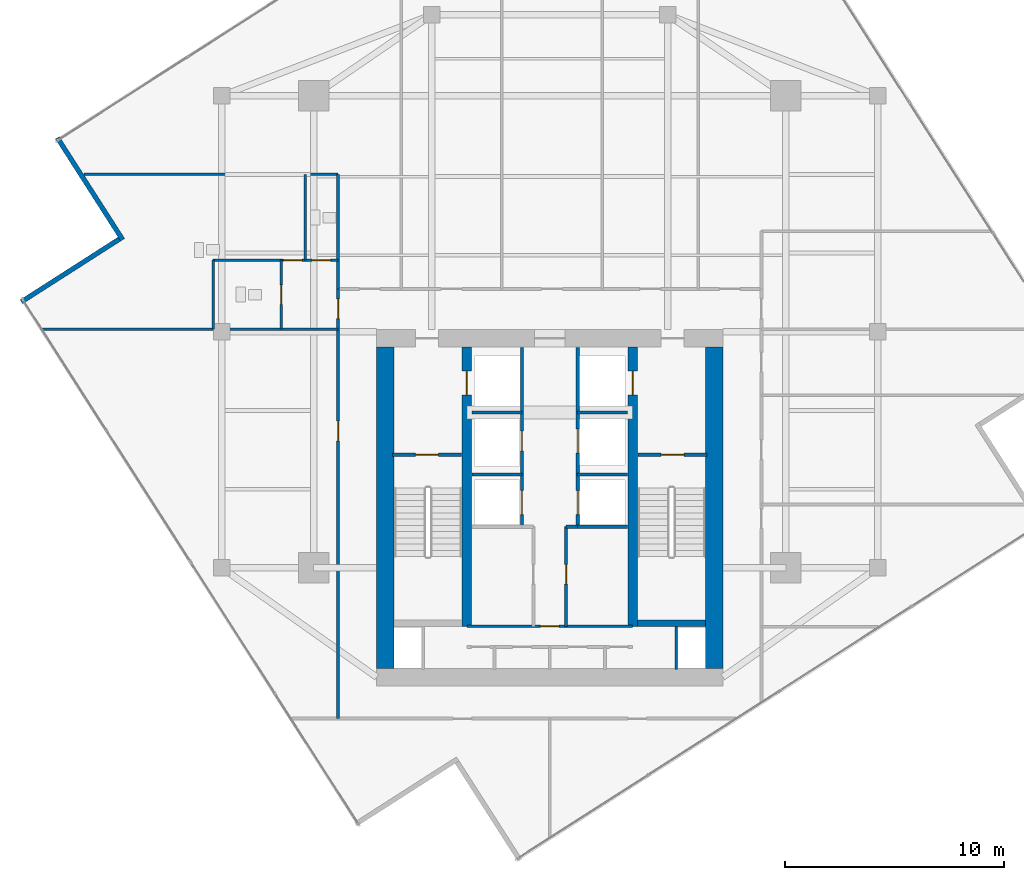
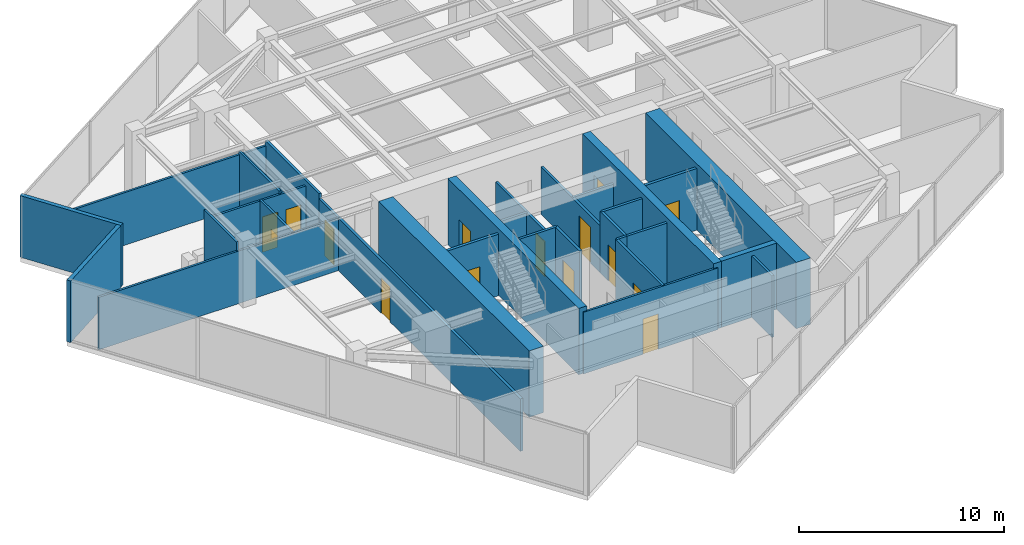
# One storey, part 17 of 20: 30 walls, 15 doors, 15 openings.
"""IFC4 building model written with IfcOpenShell, lengths in metres."""

from ifc_helpers import new_model, si_unit, direction, frame, frame_2d, origin, place, context, subcontext, project, spatial, rectangle, extrude, material, layer, layer_set, type_object, element, fill, save


model = new_model("IFC4")

# Units and contexts
model_context = context("Model", 3, precision=1e-05, world=origin(), true_north=direction((0.0, 1.0)))
body_context = subcontext(model_context, "Body", "Model", "MODEL_VIEW")
ifc_project = project(units=[si_unit("LENGTHUNIT", "METRE"), si_unit("AREAUNIT", "SQUARE_METRE"), si_unit("VOLUMEUNIT", "CUBIC_METRE"), si_unit("PLANEANGLEUNIT", "RADIAN"), si_unit("MASSUNIT", "GRAM", prefix="KILO")], contexts=[model_context])

# Site, building, storey
site_placement = place(None, origin())
site = spatial("IfcSite", under=ifc_project, at=site_placement, CompositionType="ELEMENT")
building_placement = place(site_placement, origin())
building = spatial("IfcBuilding", under=site, at=building_placement, Name="Krantzveldt Concourse Tower", CompositionType="ELEMENT")
storey_placement = place(building_placement, frame((0.0, 0.0, 283.199951171875)))
storey = spatial("IfcBuildingStorey", under=building, at=storey_placement, Name="L69", CompositionType="ELEMENT", Elevation=283.199951171875)

# Walls
ifc_material_1 = material(Name="Anodised aluminium 6063-T6", Category="aluminium")
ifc_layer_1 = layer(ifc_material_1, 0.219970703125, Name="Anodised aluminium 6063-T6", Category="aluminium")
ifc_layer_set_1 = layer_set([ifc_layer_1], Name="Anodised aluminium 6063-T6 (WL-EXT-NOTCH220)")
wall_type_1 = type_object("IfcWallType", Name="WL-EXT-NOTCH220", PredefinedType="ELEMENTEDWALL", material=ifc_layer_set_1)
wall_1_placement = place(storey_placement, frame((13.46826171875, 35.578125, 0.0), z_axis=(0.0, 0.0, 1.0), x_axis=(0.539129907131, -0.842222620948, 0.0)))
element("IfcWall", 1, at=wall_1_placement, inside=storey, type_object=wall_type_1, Name="EW-L69-NCH02", PredefinedType="ELEMENTEDWALL", context=body_context, shape_type="SweptSolid", body=[
    extrude(rectangle(XDim=5.545166015625, YDim=0.219970703125, at=frame_2d((2.7724609375, 0.0))), origin(), (0.0, 0.0, 1.0), 3.670166015625),
])
wall_2_placement = place(storey_placement, frame((16.305908203125, 30.94140625, 0.0), z_axis=(0.0, 0.0, 1.0), x_axis=(-0.84222560178, -0.539125250481, 0.0)))
element("IfcWall", 2, at=wall_2_placement, inside=storey, type_object=wall_type_1, Name="EW-L69-NCH03", PredefinedType="ELEMENTEDWALL", context=body_context, shape_type="SweptSolid", body=[
    extrude(rectangle(XDim=5.324951171875, YDim=0.219970703125, at=frame_2d((2.66259765625, 0.0))), origin(), (0.0, 0.0, 1.0), 3.670166015625),
])

# Wall, opening, door
ifc_material_2 = material(Name="Fire-rated gypsum plasterboard on steel stud", Category="steel")
ifc_layer_2 = layer(ifc_material_2, 0.1201171875, Name="Fire-rated gypsum plasterboard on steel stud", Category="steel")
ifc_layer_set_2 = layer_set([ifc_layer_2], Name="Fire-rated gypsum plasterboard on steel stud (WL-PART-120)")
wall_type_2 = type_object("IfcWallType", Name="WL-PART-120", PredefinedType="PARTITIONING", material=ifc_layer_set_2)
wall_3_placement = place(storey_placement, frame((32.2099609375, 13.219970703125, 0.0), z_axis=(0.0, 0.0, 1.0), x_axis=(1.0, 0.0, 0.0)))
wall_3 = element("IfcWall", 3, at=wall_3_placement, inside=storey, type_object=wall_type_2, Name="WP-L69-CS2H", PredefinedType="PARTITIONING", context=body_context, shape_type="SweptSolid", body=[
    extrude(rectangle(XDim=7.580078125, YDim=0.1201171875, at=frame_2d((3.7900390625, 0.0))), origin(), (0.0, 0.0, 1.0), 3.670166015625),
])
opening_1_placement = place(wall_3_placement, frame((3.364990234375, 0.0, 0.0)))
opening_1 = element("IfcOpeningElement", 4, at=opening_1_placement, cuts=wall_3, Name="Opening D-IN085", PredefinedType="OPENING", context=body_context, shape_type="SweptSolid", body=[
    extrude(rectangle(XDim=0.85009765625, YDim=2.10009765625, at=frame_2d((0.425048828125, 1.050048828125))), frame((0.0, 0.070068359375, 0.0), z_axis=(0.0, -1.0, 0.0), x_axis=(1.0, 0.0, 0.0)), (0.0, 0.0, 1.0), 0.14013671875),
])
ifc_material_3 = material(Name="Hardwood timber", Category="wood")
door_type_1 = type_object("IfcDoorType", Name="DR-INT-850", OperationType="SINGLE_SWING_LEFT", PredefinedType="DOOR", material=ifc_material_3)
door_1_placement = place(opening_1_placement, origin())
door_1 = element("IfcDoor", 5, at=door_1_placement, inside=storey, type_object=door_type_1, Name="DR-L69-LLBS", OperationType="SINGLE_SWING_RIGHT", OverallHeight=2.10009765625, OverallWidth=0.85009765625, PredefinedType="DOOR", context=body_context, shape_type="SweptSolid", body=[
    extrude(rectangle(XDim=0.85009765625, YDim=2.10009765625, at=frame_2d((0.425048828125, 1.050048828125))), frame((0.0, 0.02490234375, 0.0), z_axis=(0.0, -1.0, 0.0), x_axis=(1.0, 0.0, 0.0)), (0.0, 0.0, 1.0), 0.050048828125),
])
fill(opening_1, door_1)

# Walls
wall_4_placement = place(storey_placement, frame((12.758056640625, 26.820068359375, 0.0), z_axis=(0.0, 0.0, 1.0), x_axis=(1.0, 0.0, 0.0)))
element("IfcWall", 6, at=wall_4_placement, inside=storey, type_object=wall_type_2, Name="WP-L69-WCBS", PredefinedType="PARTITIONING", context=body_context, shape_type="SweptSolid", body=[
    extrude(rectangle(XDim=13.56201171875, YDim=0.1201171875, at=frame_2d((6.781005859375, 0.0))), origin(), (0.0, 0.0, 1.0), 3.130126953125),
])
wall_5_placement = place(storey_placement, frame((14.67919921875, 33.89990234375, 0.0), z_axis=(0.0, 0.0, 1.0), x_axis=(1.0, 0.0, 0.0)))
element("IfcWall", 7, at=wall_5_placement, inside=storey, type_object=wall_type_2, Name="WP-L69-WCBN", PredefinedType="PARTITIONING", context=body_context, shape_type="SweptSolid", body=[
    extrude(rectangle(XDim=11.640869140625, YDim=0.1201171875, at=frame_2d((5.8203125, 0.0))), origin(), (0.0, 0.0, 1.0), 3.130126953125),
])

# Wall, openings, doors
wall_6_placement = place(storey_placement, frame((20.60009765625, 29.97998046875, 0.0), z_axis=(0.0, 0.0, 1.0), x_axis=(1.0, 0.0, 0.0)))
wall_6 = element("IfcWall", 8, at=wall_6_placement, inside=storey, type_object=wall_type_2, Name="WP-L69-WCMH", PredefinedType="PARTITIONING", context=body_context, shape_type="SweptSolid", body=[
    extrude(rectangle(XDim=5.719970703125, YDim=0.1201171875, at=frame_2d((2.85986328125, 0.0))), origin(), (0.0, 0.0, 1.0), 3.130126953125),
])
opening_2_placement = place(wall_6_placement, frame((3.22509765625, 0.0, 0.0)))
opening_2 = element("IfcOpeningElement", 9, at=opening_2_placement, cuts=wall_6, Name="Opening D-IN085", PredefinedType="OPENING", context=body_context, shape_type="SweptSolid", body=[
    extrude(rectangle(XDim=0.85009765625, YDim=2.10009765625, at=frame_2d((0.425048828125, 1.050048828125))), frame((0.0, 0.070068359375, 0.0), z_axis=(0.0, -1.0, 0.0), x_axis=(1.0, 0.0, 0.0)), (0.0, 0.0, 1.0), 0.14013671875),
])
opening_3_placement = place(wall_6_placement, frame((4.52490234375, 0.0, 0.0)))
opening_3 = element("IfcOpeningElement", 10, at=opening_3_placement, cuts=wall_6, Name="Opening D-IN085", PredefinedType="OPENING", context=body_context, shape_type="SweptSolid", body=[
    extrude(rectangle(XDim=0.85009765625, YDim=2.10009765625, at=frame_2d((0.425048828125, 1.050048828125))), frame((0.0, 0.070068359375, 0.0), z_axis=(0.0, -1.0, 0.0), x_axis=(1.0, 0.0, 0.0)), (0.0, 0.0, 1.0), 0.14013671875),
])
door_2_placement = place(opening_2_placement, origin())
door_2 = element("IfcDoor", 11, at=door_2_placement, inside=storey, type_object=door_type_1, Name="DR-L69-WCM", OperationType="SINGLE_SWING_LEFT", OverallHeight=2.10009765625, OverallWidth=0.85009765625, PredefinedType="DOOR", context=body_context, shape_type="SweptSolid", body=[
    extrude(rectangle(XDim=0.85009765625, YDim=2.10009765625, at=frame_2d((0.425048828125, 1.050048828125))), frame((0.0, 0.02490234375, 0.0), z_axis=(0.0, -1.0, 0.0), x_axis=(1.0, 0.0, 0.0)), (0.0, 0.0, 1.0), 0.050048828125),
])
fill(opening_2, door_2)
door_3_placement = place(opening_3_placement, origin())
door_3 = element("IfcDoor", 12, at=door_3_placement, inside=storey, type_object=door_type_1, Name="DR-L69-WCF", OperationType="SINGLE_SWING_RIGHT", OverallHeight=2.10009765625, OverallWidth=0.85009765625, PredefinedType="DOOR", context=body_context, shape_type="SweptSolid", body=[
    extrude(rectangle(XDim=0.85009765625, YDim=2.10009765625, at=frame_2d((0.425048828125, 1.050048828125))), frame((0.0, 0.02490234375, 0.0), z_axis=(0.0, -1.0, 0.0), x_axis=(1.0, 0.0, 0.0)), (0.0, 0.0, 1.0), 0.050048828125),
])
fill(opening_3, door_3)

# Wall
wall_7_placement = place(storey_placement, frame((20.60009765625, 26.820068359375, 0.0), z_axis=(0.0, 0.0, 1.0), x_axis=(0.0, 1.0, 0.0)))
element("IfcWall", 13, at=wall_7_placement, inside=storey, type_object=wall_type_2, Name="WP-L69-WCAL", PredefinedType="PARTITIONING", context=body_context, shape_type="SweptSolid", body=[
    extrude(rectangle(XDim=3.159912109375, YDim=0.1201171875, at=frame_2d((1.580078125, 0.0))), origin(), (0.0, 0.0, 1.0), 3.670166015625),
])

# Wall, opening, door
wall_8_placement = place(storey_placement, frame((23.719970703125, 26.820068359375, 0.0), z_axis=(0.0, 0.0, 1.0), x_axis=(0.0, 1.0, 0.0)))
wall_8 = element("IfcWall", 14, at=wall_8_placement, inside=storey, type_object=wall_type_2, Name="WP-L69-WCAV", PredefinedType="PARTITIONING", context=body_context, shape_type="SweptSolid", body=[
    extrude(rectangle(XDim=3.159912109375, YDim=0.1201171875, at=frame_2d((1.580078125, 0.0))), origin(), (0.0, 0.0, 1.0), 3.179931640625),
])
opening_4_placement = place(wall_8_placement, frame((1.1298828125, 0.0, 0.0)))
opening_4 = element("IfcOpeningElement", 15, at=opening_4_placement, cuts=wall_8, Name="Opening D-IN090", PredefinedType="OPENING", context=body_context, shape_type="SweptSolid", body=[
    extrude(rectangle(XDim=0.89990234375, YDim=2.10009765625, at=frame_2d((0.449951171875, 1.050048828125))), frame((0.0, 0.070068359375, 0.0), z_axis=(0.0, -1.0, 0.0), x_axis=(1.0, 0.0, 0.0)), (0.0, 0.0, 1.0), 0.14013671875),
])
door_type_2 = type_object("IfcDoorType", Name="DR-INT-900", OperationType="SINGLE_SWING_LEFT", PredefinedType="DOOR", material=ifc_material_3)
door_4_placement = place(opening_4_placement, origin())
door_4 = element("IfcDoor", 16, at=door_4_placement, inside=storey, type_object=door_type_2, Name="DR-L69-WCA", OperationType="SINGLE_SWING_LEFT", OverallHeight=2.10009765625, OverallWidth=0.89990234375, PredefinedType="DOOR", context=body_context, shape_type="SweptSolid", body=[
    extrude(rectangle(XDim=0.89990234375, YDim=2.10009765625, at=frame_2d((0.449951171875, 1.050048828125))), frame((0.0, 0.02490234375, 0.0), z_axis=(0.0, -1.0, 0.0), x_axis=(1.0, 0.0, 0.0)), (0.0, 0.0, 1.0), 0.050048828125),
])
fill(opening_4, door_4)

# Wall
wall_9_placement = place(storey_placement, frame((24.820068359375, 29.97998046875, 0.0), z_axis=(0.0, 0.0, 1.0), x_axis=(0.0, 1.0, 0.0)))
element("IfcWall", 17, at=wall_9_placement, inside=storey, type_object=wall_type_2, Name="WP-L69-WCFD", PredefinedType="PARTITIONING", context=body_context, shape_type="SweptSolid", body=[
    extrude(rectangle(XDim=3.919921875, YDim=0.1201171875, at=frame_2d((1.9599609375, 0.0))), origin(), (0.0, 0.0, 1.0), 3.31005859375),
])

# Wall, openings, doors
ifc_layer_3 = layer(ifc_material_2, 0.139892578125, Name="Fire-rated gypsum plasterboard on steel stud", Category="steel")
ifc_layer_set_3 = layer_set([ifc_layer_3], Name="Fire-rated gypsum plasterboard on steel stud (WL-PART-140)")
wall_type_3 = type_object("IfcWallType", Name="WL-PART-140", PredefinedType="PARTITIONING", material=ifc_layer_set_3)
wall_10_placement = place(storey_placement, frame((26.320068359375, 9.0, 0.0), z_axis=(0.0, 0.0, 1.0), x_axis=(0.0, 1.0, 0.0)))
wall_10 = element("IfcWall", 18, at=wall_10_placement, inside=storey, type_object=wall_type_3, Name="WP-L69-CWEST", PredefinedType="PARTITIONING", context=body_context, shape_type="SweptSolid", body=[
    extrude(rectangle(XDim=19.659912109375, YDim=0.139892578125, at=frame_2d((9.830078125, 0.0))), origin(), (0.0, 0.0, 1.0), 3.130126953125),
])
opening_5_placement = place(wall_10_placement, frame((18.300048828125, 0.0, 0.0)))
opening_5 = element("IfcOpeningElement", 19, at=opening_5_placement, cuts=wall_10, Name="Opening D-IN090", PredefinedType="OPENING", context=body_context, shape_type="SweptSolid", body=[
    extrude(rectangle(XDim=0.89990234375, YDim=2.10009765625, at=frame_2d((0.449951171875, 1.050048828125))), frame((0.0, 0.080078125, 0.0), z_axis=(0.0, -1.0, 0.0), x_axis=(1.0, 0.0, 0.0)), (0.0, 0.0, 1.0), 0.159912109375),
])
opening_6_placement = place(wall_10_placement, frame((12.7099609375, 0.0, 0.0)))
opening_6 = element("IfcOpeningElement", 20, at=opening_6_placement, cuts=wall_10, Name="Opening D-IN090", PredefinedType="OPENING", context=body_context, shape_type="SweptSolid", body=[
    extrude(rectangle(XDim=0.89990234375, YDim=2.10009765625, at=frame_2d((0.449951171875, 1.050048828125))), frame((0.0, 0.080078125, 0.0), z_axis=(0.0, -1.0, 0.0), x_axis=(1.0, 0.0, 0.0)), (0.0, 0.0, 1.0), 0.159912109375),
])
door_5_placement = place(opening_5_placement, origin())
door_5 = element("IfcDoor", 21, at=door_5_placement, inside=storey, type_object=door_type_2, Name="DR-L69-WCV", OperationType="SINGLE_SWING_LEFT", OverallHeight=2.10009765625, OverallWidth=0.89990234375, PredefinedType="DOOR", context=body_context, shape_type="SweptSolid", body=[
    extrude(rectangle(XDim=0.89990234375, YDim=2.10009765625, at=frame_2d((0.449951171875, 1.050048828125))), frame((0.0, 0.02490234375, 0.0), z_axis=(0.0, -1.0, 0.0), x_axis=(1.0, 0.0, 0.0)), (0.0, 0.0, 1.0), 0.050048828125),
])
fill(opening_5, door_5)
door_6_placement = place(opening_6_placement, origin())
door_6 = element("IfcDoor", 22, at=door_6_placement, inside=storey, type_object=door_type_2, Name="DR-L69-WR1", OperationType="SINGLE_SWING_LEFT", OverallHeight=2.10009765625, OverallWidth=0.89990234375, PredefinedType="DOOR", context=body_context, shape_type="SweptSolid", body=[
    extrude(rectangle(XDim=0.89990234375, YDim=2.10009765625, at=frame_2d((0.449951171875, 1.050048828125))), frame((0.0, 0.02490234375, 0.0), z_axis=(0.0, -1.0, 0.0), x_axis=(1.0, 0.0, 0.0)), (0.0, 0.0, 1.0), 0.050048828125),
])
fill(opening_6, door_6)

# Wall
wall_11_placement = place(storey_placement, frame((26.320068359375, 28.659912109375, 0.0), z_axis=(0.0, 0.0, 1.0), x_axis=(0.0, 1.0, 0.0)))
element("IfcWall", 23, at=wall_11_placement, inside=storey, type_object=wall_type_3, Name="WP-L69-NWL", PredefinedType="PARTITIONING", context=body_context, shape_type="SweptSolid", body=[
    extrude(rectangle(XDim=5.239990234375, YDim=0.139892578125, at=frame_2d((2.6201171875, 0.0))), origin(), (0.0, 0.0, 1.0), 3.429931640625),
])

# Wall, opening, door
ifc_layer_4 = layer(ifc_material_2, 0.139892578125, Name="Fire-rated gypsum plasterboard on steel stud", Category="steel")
ifc_layer_set_4 = layer_set([ifc_layer_4], Name="Fire-rated gypsum plasterboard on steel stud (WL-PART-FR140)")
wall_type_4 = type_object("IfcWallType", Name="WL-PART-FR140", PredefinedType="PARTITIONING", material=ifc_layer_set_4)
wall_12_placement = place(storey_placement, frame((34.719970703125, 20.199951171875, 0.0), z_axis=(0.0, 0.0, 1.0), x_axis=(0.0, 1.0, 0.0)))
wall_12 = element("IfcWall", 24, at=wall_12_placement, inside=storey, type_object=wall_type_4, Name="WP-L69-SHNW", PredefinedType="PARTITIONING", context=body_context, shape_type="SweptSolid", body=[
    extrude(rectangle(XDim=5.780029296875, YDim=0.139892578125, at=frame_2d((2.89013671875, 0.0))), origin(), (0.0, 0.0, 1.0), 2.820068359375),
])
opening_7_placement = place(wall_12_placement, frame((1.050048828125, 0.0, 0.0)))
opening_7 = element("IfcOpeningElement", 25, at=opening_7_placement, cuts=wall_12, Name="Opening D-FD090", PredefinedType="OPENING", context=body_context, shape_type="SweptSolid", body=[
    extrude(rectangle(XDim=0.89990234375, YDim=2.10009765625, at=frame_2d((0.449951171875, 1.050048828125))), frame((0.0, 0.080078125, 0.0), z_axis=(0.0, -1.0, 0.0), x_axis=(1.0, 0.0, 0.0)), (0.0, 0.0, 1.0), 0.159912109375),
])
door_type_3 = type_object("IfcDoorType", Name="DR-FD60-900", OperationType="SINGLE_SWING_LEFT", PredefinedType="DOOR", material=ifc_material_3)
door_7_placement = place(opening_7_placement, origin())
door_7 = element("IfcDoor", 26, at=door_7_placement, inside=storey, type_object=door_type_3, Name="Electrical Riser Access Door L69", OperationType="SINGLE_SWING_LEFT", OverallHeight=2.10009765625, OverallWidth=0.89990234375, PredefinedType="DOOR", context=body_context, shape_type="SweptSolid", body=[
    extrude(rectangle(XDim=0.89990234375, YDim=2.10009765625, at=frame_2d((0.449951171875, 1.050048828125))), frame((0.0, 0.02490234375, 0.0), z_axis=(0.0, -1.0, 0.0), x_axis=(1.0, 0.0, 0.0)), (0.0, 0.0, 1.0), 0.050048828125),
])
fill(opening_7, door_7)

wall_13_placement = place(storey_placement, frame((37.280029296875, 20.199951171875, 0.0), z_axis=(0.0, 0.0, 1.0), x_axis=(0.0, 1.0, 0.0)))
wall_13 = element("IfcWall", 27, at=wall_13_placement, inside=storey, type_object=wall_type_4, Name="WP-L69-SHNE", PredefinedType="PARTITIONING", context=body_context, shape_type="SweptSolid", body=[
    extrude(rectangle(XDim=5.780029296875, YDim=0.139892578125, at=frame_2d((2.89013671875, 0.0))), origin(), (0.0, 0.0, 1.0), 2.820068359375),
])
opening_8_placement = place(wall_13_placement, frame((0.949951171875, 0.0, 0.0)))
opening_8 = element("IfcOpeningElement", 28, at=opening_8_placement, cuts=wall_13, Name="Opening LD", PredefinedType="OPENING", context=body_context, shape_type="SweptSolid", body=[
    extrude(rectangle(XDim=1.10009765625, YDim=2.14990234375, at=frame_2d((0.550048828125, 1.074951171875))), frame((0.0, 0.080078125, 0.0), z_axis=(0.0, -1.0, 0.0), x_axis=(1.0, 0.0, 0.0)), (0.0, 0.0, 1.0), 0.159912109375),
])
ifc_material_4 = material(Name="Stainless steel 316L", Category="steel")
door_type_4 = type_object("IfcDoorType", Name="DR-SLIDE-LD1100", OperationType="DOUBLE_DOOR_SLIDING", PredefinedType="DOOR", material=ifc_material_4)
door_8_placement = place(opening_8_placement, origin())
door_8 = element("IfcDoor", 29, at=door_8_placement, inside=storey, type_object=door_type_4, Name="LD-L69-GL1", OperationType="DOUBLE_DOOR_SLIDING", OverallHeight=2.14990234375, OverallWidth=1.10009765625, PredefinedType="DOOR", context=body_context, shape_type="SweptSolid", body=[
    extrude(rectangle(XDim=1.10009765625, YDim=2.14990234375, at=frame_2d((0.550048828125, 1.074951171875))), frame((0.0, 0.02490234375, 0.0), z_axis=(0.0, -1.0, 0.0), x_axis=(1.0, 0.0, 0.0)), (0.0, 0.0, 1.0), 0.050048828125),
])
fill(opening_8, door_8)

# Walls
for number, where, z_axis, x_axis, name in (
    (30, (32.449951171875, 23.0, 0.0), (0.0, 0.0, 1.0), (1.0, 0.0, 0.0), "WP-L69-RISH"),
    (31, (37.280029296875, 23.0, 0.0), (0.0, 0.0, 1.0), (1.0, 0.0, 0.0), "WP-L69-GLH"),
):
    element("IfcWall", number, at=place(storey_placement, frame(where, z_axis=z_axis, x_axis=x_axis)), inside=storey, type_object=wall_type_4, Name=name, PredefinedType="PARTITIONING", context=body_context, shape_type="SweptSolid", body=[
        extrude(rectangle(XDim=2.27001953125, YDim=0.139892578125, at=frame_2d((1.135009765625, 0.0))), origin(), (0.0, 0.0, 1.0), 2.820068359375),
    ])

# Wall, opening, door
wall_14_placement = place(storey_placement, frame((34.719970703125, 17.780029296875, 0.0), z_axis=(0.0, 0.0, 1.0), x_axis=(0.0, 1.0, 0.0)))
wall_14 = element("IfcWall", 32, at=wall_14_placement, inside=storey, type_object=wall_type_4, Name="WP-L69-SHNW2", PredefinedType="PARTITIONING", context=body_context, shape_type="SweptSolid", body=[
    extrude(rectangle(XDim=2.419921875, YDim=0.139892578125, at=frame_2d((1.2099609375, 0.0))), origin(), (0.0, 0.0, 1.0), 3.670166015625),
])
opening_9_placement = place(wall_14_placement, frame((0.550048828125, 0.0, 0.0)))
opening_9 = element("IfcOpeningElement", 33, at=opening_9_placement, cuts=wall_14, Name="Opening LD", PredefinedType="OPENING", context=body_context, shape_type="SweptSolid", body=[
    extrude(rectangle(XDim=1.10009765625, YDim=2.14990234375, at=frame_2d((0.550048828125, 1.074951171875))), frame((0.0, 0.080078125, 0.0), z_axis=(0.0, -1.0, 0.0), x_axis=(1.0, 0.0, 0.0)), (0.0, 0.0, 1.0), 0.159912109375),
])
door_9_placement = place(opening_9_placement, origin())
door_9 = element("IfcDoor", 34, at=door_9_placement, inside=storey, type_object=door_type_4, Name="LD-L69-PH1", OperationType="DOUBLE_DOOR_SLIDING", OverallHeight=2.14990234375, OverallWidth=1.10009765625, PredefinedType="DOOR", context=body_context, shape_type="SweptSolid", body=[
    extrude(rectangle(XDim=1.10009765625, YDim=2.14990234375, at=frame_2d((0.550048828125, 1.074951171875))), frame((0.0, 0.02490234375, 0.0), z_axis=(0.0, -1.0, 0.0), x_axis=(1.0, 0.0, 0.0)), (0.0, 0.0, 1.0), 0.050048828125),
])
fill(opening_9, door_9)

wall_15_placement = place(storey_placement, frame((37.280029296875, 17.780029296875, 0.0), z_axis=(0.0, 0.0, 1.0), x_axis=(0.0, 1.0, 0.0)))
wall_15 = element("IfcWall", 35, at=wall_15_placement, inside=storey, type_object=wall_type_4, Name="WP-L69-SHNE2", PredefinedType="PARTITIONING", context=body_context, shape_type="SweptSolid", body=[
    extrude(rectangle(XDim=2.419921875, YDim=0.139892578125, at=frame_2d((1.2099609375, 0.0))), origin(), (0.0, 0.0, 1.0), 3.670166015625),
])
opening_10_placement = place(wall_15_placement, frame((0.550048828125, 0.0, 0.0)))
opening_10 = element("IfcOpeningElement", 36, at=opening_10_placement, cuts=wall_15, Name="Opening LD", PredefinedType="OPENING", context=body_context, shape_type="SweptSolid", body=[
    extrude(rectangle(XDim=1.10009765625, YDim=2.14990234375, at=frame_2d((0.550048828125, 1.074951171875))), frame((0.0, 0.080078125, 0.0), z_axis=(0.0, -1.0, 0.0), x_axis=(1.0, 0.0, 0.0)), (0.0, 0.0, 1.0), 0.159912109375),
])
door_10_placement = place(opening_10_placement, origin())
door_10 = element("IfcDoor", 37, at=door_10_placement, inside=storey, type_object=door_type_4, Name="LD-L69-PH2", OperationType="DOUBLE_DOOR_SLIDING", OverallHeight=2.14990234375, OverallWidth=1.10009765625, PredefinedType="DOOR", context=body_context, shape_type="SweptSolid", body=[
    extrude(rectangle(XDim=1.10009765625, YDim=2.14990234375, at=frame_2d((0.550048828125, 1.074951171875))), frame((0.0, 0.02490234375, 0.0), z_axis=(0.0, -1.0, 0.0), x_axis=(1.0, 0.0, 0.0)), (0.0, 0.0, 1.0), 0.050048828125),
])
fill(opening_10, door_10)

# Walls
for number, where, z_axis, x_axis, name in (
    (38, (32.449951171875, 20.179931640625, 0.0), (0.0, 0.0, 1.0), (1.0, 0.0, 0.0), "WP-L69-DIVW3"),
    (39, (37.280029296875, 17.780029296875, 0.0), (0.0, 0.0, 1.0), (1.0, 0.0, 0.0), "WP-L69-DIVE2"),
    (40, (37.280029296875, 20.179931640625, 0.0), (0.0, 0.0, 1.0), (1.0, 0.0, 0.0), "WP-L69-DIVE3"),
):
    element("IfcWall", number, at=place(storey_placement, frame(where, z_axis=z_axis, x_axis=x_axis)), inside=storey, type_object=wall_type_4, Name=name, PredefinedType="PARTITIONING", context=body_context, shape_type="SweptSolid", body=[
        extrude(rectangle(XDim=2.27001953125, YDim=0.139892578125, at=frame_2d((1.135009765625, 0.0))), origin(), (0.0, 0.0, 1.0), 3.670166015625),
    ])

# Wall, opening, door
wall_16_placement = place(storey_placement, frame((36.75, 13.219970703125, 0.0), z_axis=(0.0, 0.0, 1.0), x_axis=(0.0, 1.0, 0.0)))
wall_16 = element("IfcWall", 41, at=wall_16_placement, inside=storey, type_object=wall_type_4, Name="WP-L69-RECE", PredefinedType="PARTITIONING", context=body_context, shape_type="SweptSolid", body=[
    extrude(rectangle(XDim=4.56005859375, YDim=0.139892578125, at=frame_2d((2.280029296875, 0.0))), origin(), (0.0, 0.0, 1.0), 3.670166015625),
])
opening_11_placement = place(wall_16_placement, frame((1.929931640625, 0.0, 0.0)))
opening_11 = element("IfcOpeningElement", 42, at=opening_11_placement, cuts=wall_16, Name="Opening D-FD090", PredefinedType="OPENING", context=body_context, shape_type="SweptSolid", body=[
    extrude(rectangle(XDim=0.89990234375, YDim=2.10009765625, at=frame_2d((0.449951171875, 1.050048828125))), frame((0.0, 0.080078125, 0.0), z_axis=(0.0, -1.0, 0.0), x_axis=(1.0, 0.0, 0.0)), (0.0, 0.0, 1.0), 0.159912109375),
])
door_11_placement = place(opening_11_placement, origin())
door_11 = element("IfcDoor", 43, at=door_11_placement, inside=storey, type_object=door_type_3, Name="DR-L69-RECE", OperationType="SINGLE_SWING_RIGHT", OverallHeight=2.10009765625, OverallWidth=0.89990234375, PredefinedType="DOOR", context=body_context, shape_type="SweptSolid", body=[
    extrude(rectangle(XDim=0.89990234375, YDim=2.10009765625, at=frame_2d((0.449951171875, 1.050048828125))), frame((0.0, 0.02490234375, 0.0), z_axis=(0.0, -1.0, 0.0), x_axis=(1.0, 0.0, 0.0)), (0.0, 0.0, 1.0), 0.050048828125),
])
fill(opening_11, door_11)

# Walls
wall_17_placement = place(storey_placement, frame((36.75, 17.780029296875, 0.0), z_axis=(0.0, 0.0, 1.0), x_axis=(1.0, 0.0, 0.0)))
element("IfcWall", 44, at=wall_17_placement, inside=storey, type_object=wall_type_4, Name="WP-L69-RECEN", PredefinedType="PARTITIONING", context=body_context, shape_type="SweptSolid", body=[
    extrude(rectangle(XDim=0.530029296875, YDim=0.139892578125, at=frame_2d((0.26513671875, 0.0))), origin(), (0.0, 0.0, 1.0), 3.670166015625),
])
wall_18_placement = place(storey_placement, frame((41.780029296875, 11.25, 0.0), z_axis=(0.0, 0.0, 1.0), x_axis=(0.0, 1.0, 0.0)))
element("IfcWall", 45, at=wall_18_placement, inside=storey, type_object=wall_type_4, Name="WP-L69-RSE", PredefinedType="PARTITIONING", context=body_context, shape_type="SweptSolid", body=[
    extrude(rectangle(XDim=1.969970703125, YDim=0.1201171875, at=frame_2d((0.98486328125, 0.0))), origin(), (0.0, 0.0, 1.0), 3.670166015625),
])

# Wall, opening, door
ifc_layer_5 = layer(ifc_material_2, 0.159912109375, Name="Fire-rated gypsum plasterboard on steel stud", Category="steel")
ifc_layer_set_5 = layer_set([ifc_layer_5], Name="Fire-rated gypsum plasterboard on steel stud (WL-PART-FR160)")
wall_type_5 = type_object("IfcWallType", Name="WL-PART-FR160", PredefinedType="PARTITIONING", material=ifc_layer_set_5)
wall_19_placement = place(storey_placement, frame((28.800048828125, 21.080078125, 0.0), z_axis=(0.0, 0.0, 1.0), x_axis=(1.0, 0.0, 0.0)))
wall_19 = element("IfcWall", 46, at=wall_19_placement, inside=storey, type_object=wall_type_5, Name="WP-L69-ST1", PredefinedType="PARTITIONING", context=body_context, shape_type="SweptSolid", body=[
    extrude(rectangle(XDim=3.159912109375, YDim=0.159912109375, at=frame_2d((1.580078125, 0.0))), origin(), (0.0, 0.0, 1.0), 3.670166015625),
])
opening_12_placement = place(wall_19_placement, frame((1.054931640625, 0.0, 0.0)))
opening_12 = element("IfcOpeningElement", 47, at=opening_12_placement, cuts=wall_19, Name="Opening D-FD105", PredefinedType="OPENING", context=body_context, shape_type="SweptSolid", body=[
    extrude(rectangle(XDim=1.050048828125, YDim=2.10009765625, at=frame_2d((0.52490234375, 1.050048828125))), frame((0.0, 0.08984375, 0.0), z_axis=(0.0, -1.0, 0.0), x_axis=(1.0, 0.0, 0.0)), (0.0, 0.0, 1.0), 0.179931640625),
])
ifc_material_5 = material(Name="Galvanised steel", Category="steel")
door_type_5 = type_object("IfcDoorType", Name="DR-FD120-1050", OperationType="SINGLE_SWING_LEFT", PredefinedType="DOOR", material=ifc_material_5)
door_12_placement = place(opening_12_placement, origin())
door_12 = element("IfcDoor", 48, at=door_12_placement, inside=storey, type_object=door_type_5, Name="DR-L69-ST1", OperationType="SINGLE_SWING_RIGHT", OverallHeight=2.10009765625, OverallWidth=1.050048828125, PredefinedType="DOOR", context=body_context, shape_type="SweptSolid", body=[
    extrude(rectangle(XDim=1.050048828125, YDim=2.10009765625, at=frame_2d((0.52490234375, 1.050048828125))), frame((0.0, 0.02490234375, 0.0), z_axis=(0.0, -1.0, 0.0), x_axis=(1.0, 0.0, 0.0)), (0.0, 0.0, 1.0), 0.050048828125),
])
fill(opening_12, door_12)

wall_20_placement = place(storey_placement, frame((40.0400390625, 21.080078125, 0.0), z_axis=(0.0, 0.0, 1.0), x_axis=(1.0, 0.0, 0.0)))
wall_20 = element("IfcWall", 49, at=wall_20_placement, inside=storey, type_object=wall_type_5, Name="WP-L69-ST2", PredefinedType="PARTITIONING", context=body_context, shape_type="SweptSolid", body=[
    extrude(rectangle(XDim=3.159912109375, YDim=0.159912109375, at=frame_2d((1.580078125, 0.0))), origin(), (0.0, 0.0, 1.0), 3.670166015625),
])
opening_13_placement = place(wall_20_placement, frame((1.054931640625, 0.0, 0.0)))
opening_13 = element("IfcOpeningElement", 50, at=opening_13_placement, cuts=wall_20, Name="Opening D-FD105", PredefinedType="OPENING", context=body_context, shape_type="SweptSolid", body=[
    extrude(rectangle(XDim=1.050048828125, YDim=2.10009765625, at=frame_2d((0.52490234375, 1.050048828125))), frame((0.0, 0.08984375, 0.0), z_axis=(0.0, -1.0, 0.0), x_axis=(1.0, 0.0, 0.0)), (0.0, 0.0, 1.0), 0.179931640625),
])
door_13_placement = place(opening_13_placement, origin())
door_13 = element("IfcDoor", 51, at=door_13_placement, inside=storey, type_object=door_type_5, Name="DR-L69-ST2", OperationType="SINGLE_SWING_LEFT", OverallHeight=2.10009765625, OverallWidth=1.050048828125, PredefinedType="DOOR", context=body_context, shape_type="SweptSolid", body=[
    extrude(rectangle(XDim=1.050048828125, YDim=2.10009765625, at=frame_2d((0.52490234375, 1.050048828125))), frame((0.0, 0.02490234375, 0.0), z_axis=(0.0, -1.0, 0.0), x_axis=(1.0, 0.0, 0.0)), (0.0, 0.0, 1.0), 0.050048828125),
])
fill(opening_13, door_13)

# Wall
ifc_material_6 = material(Name="Concrete C50/60", Category="concrete")
ifc_layer_6 = layer(ifc_material_6, 0.300048828125, Name="Concrete C50/60", Category="concrete")
ifc_layer_set_6 = layer_set([ifc_layer_6], Name="Concrete C50/60 (WL-SHEAR-300)")
wall_type_6 = type_object("IfcWallType", Name="WL-SHEAR-300", PredefinedType="SHEAR", material=ifc_layer_set_6)
wall_21_placement = place(storey_placement, frame((40.02001953125, 13.3701171875, 0.0), z_axis=(0.0, 0.0, 1.0), x_axis=(1.0, 0.0, 0.0)))
element("IfcWall", 52, at=wall_21_placement, inside=storey, type_object=wall_type_6, Name="CW-L69-ST2S", PredefinedType="SHEAR", context=body_context, shape_type="SweptSolid", body=[
    extrude(rectangle(XDim=3.10009765625, YDim=0.300048828125, at=frame_2d((1.550048828125, 0.0))), origin(), (0.0, 0.0, 1.0), 3.949951171875),
])

# Wall, opening, door
ifc_layer_7 = layer(ifc_material_6, 0.449951171875, Name="Concrete C50/60", Category="concrete")
ifc_layer_set_7 = layer_set([ifc_layer_7], Name="Concrete C50/60 (WL-SHEAR-450)")
wall_type_7 = type_object("IfcWallType", Name="WL-SHEAR-450", PredefinedType="SHEAR", material=ifc_layer_set_7)
wall_22_placement = place(storey_placement, frame((32.205078125, 13.219970703125, 0.0), z_axis=(0.0, 0.0, 1.0), x_axis=(0.0, 1.0, 0.0)))
wall_22 = element("IfcWall", 53, at=wall_22_placement, inside=storey, type_object=wall_type_7, Name="CW-L69-IW", PredefinedType="SHEAR", context=body_context, shape_type="SweptSolid", body=[
    extrude(rectangle(XDim=12.780029296875, YDim=0.449951171875, at=frame_2d((6.39013671875, 0.0))), origin(), (0.0, 0.0, 1.0), 3.949951171875),
])
opening_14_placement = place(wall_22_placement, frame((10.580078125, 0.0, 0.0)))
opening_14 = element("IfcOpeningElement", 54, at=opening_14_placement, cuts=wall_22, Name="Opening LD", PredefinedType="OPENING", context=body_context, shape_type="SweptSolid", body=[
    extrude(rectangle(XDim=1.10009765625, YDim=2.14990234375, at=frame_2d((0.550048828125, 1.074951171875))), frame((0.0, 0.23486328125, 0.0), z_axis=(0.0, -1.0, 0.0), x_axis=(1.0, 0.0, 0.0)), (0.0, 0.0, 1.0), 0.469970703125),
])
door_14_placement = place(opening_14_placement, origin())
door_14 = element("IfcDoor", 55, at=door_14_placement, inside=storey, type_object=door_type_4, Name="LD-L69-FL1", OperationType="DOUBLE_DOOR_SLIDING", OverallHeight=2.14990234375, OverallWidth=1.10009765625, PredefinedType="DOOR", context=body_context, shape_type="SweptSolid", body=[
    extrude(rectangle(XDim=1.10009765625, YDim=2.14990234375, at=frame_2d((0.550048828125, 1.074951171875))), frame((0.0, 0.02490234375, 0.0), z_axis=(0.0, -1.0, 0.0), x_axis=(1.0, 0.0, 0.0)), (0.0, 0.0, 1.0), 0.050048828125),
])
fill(opening_14, door_14)

wall_23_placement = place(storey_placement, frame((39.794921875, 13.219970703125, 0.0), z_axis=(0.0, 0.0, 1.0), x_axis=(0.0, 1.0, 0.0)))
wall_23 = element("IfcWall", 56, at=wall_23_placement, inside=storey, type_object=wall_type_7, Name="CW-L69-IE", PredefinedType="SHEAR", context=body_context, shape_type="SweptSolid", body=[
    extrude(rectangle(XDim=12.780029296875, YDim=0.449951171875, at=frame_2d((6.39013671875, 0.0))), origin(), (0.0, 0.0, 1.0), 3.949951171875),
])
opening_15_placement = place(wall_23_placement, frame((10.580078125, 0.0, 0.0)))
opening_15 = element("IfcOpeningElement", 57, at=opening_15_placement, cuts=wall_23, Name="Opening LD", PredefinedType="OPENING", context=body_context, shape_type="SweptSolid", body=[
    extrude(rectangle(XDim=1.10009765625, YDim=2.14990234375, at=frame_2d((0.550048828125, 1.074951171875))), frame((0.0, 0.23486328125, 0.0), z_axis=(0.0, -1.0, 0.0), x_axis=(1.0, 0.0, 0.0)), (0.0, 0.0, 1.0), 0.469970703125),
])
door_15_placement = place(opening_15_placement, origin())
door_15 = element("IfcDoor", 58, at=door_15_placement, inside=storey, type_object=door_type_4, Name="LD-L69-FL2", OperationType="DOUBLE_DOOR_SLIDING", OverallHeight=2.14990234375, OverallWidth=1.10009765625, PredefinedType="DOOR", context=body_context, shape_type="SweptSolid", body=[
    extrude(rectangle(XDim=1.10009765625, YDim=2.14990234375, at=frame_2d((0.550048828125, 1.074951171875))), frame((0.0, 0.02490234375, 0.0), z_axis=(0.0, -1.0, 0.0), x_axis=(1.0, 0.0, 0.0)), (0.0, 0.0, 1.0), 0.050048828125),
])
fill(opening_15, door_15)

# Walls
ifc_material_7 = material(Name="Concrete C60/75", Category="concrete")
ifc_layer_8 = layer(ifc_material_7, 0.800048828125, Name="Concrete C60/75", Category="concrete")
ifc_layer_set_8 = layer_set([ifc_layer_8], Name="Concrete C60/75 (WL-SHEAR-800)")
wall_type_8 = type_object("IfcWallType", Name="WL-SHEAR-800", PredefinedType="SHEAR", material=ifc_layer_set_8)
for number, where, z_axis, x_axis, name in (
    (59, (28.47998046875, 11.300048828125, 0.0), (0.0, 0.0, 1.0), (0.0, 1.0, 0.0), "CW-L69-W"),
    (60, (43.52001953125, 11.300048828125, 0.0), (0.0, 0.0, 1.0), (0.0, 1.0, 0.0), "CW-L69-E"),
):
    element("IfcWall", number, at=place(storey_placement, frame(where, z_axis=z_axis, x_axis=x_axis)), inside=storey, type_object=wall_type_8, Name=name, PredefinedType="SHEAR", context=body_context, shape_type="SweptSolid", body=[
        extrude(rectangle(XDim=14.699951171875, YDim=0.800048828125, at=frame_2d((7.35009765625, 0.0))), origin(), (0.0, 0.0, 1.0), 3.949951171875),
    ])

save(model, "model.ifc")
